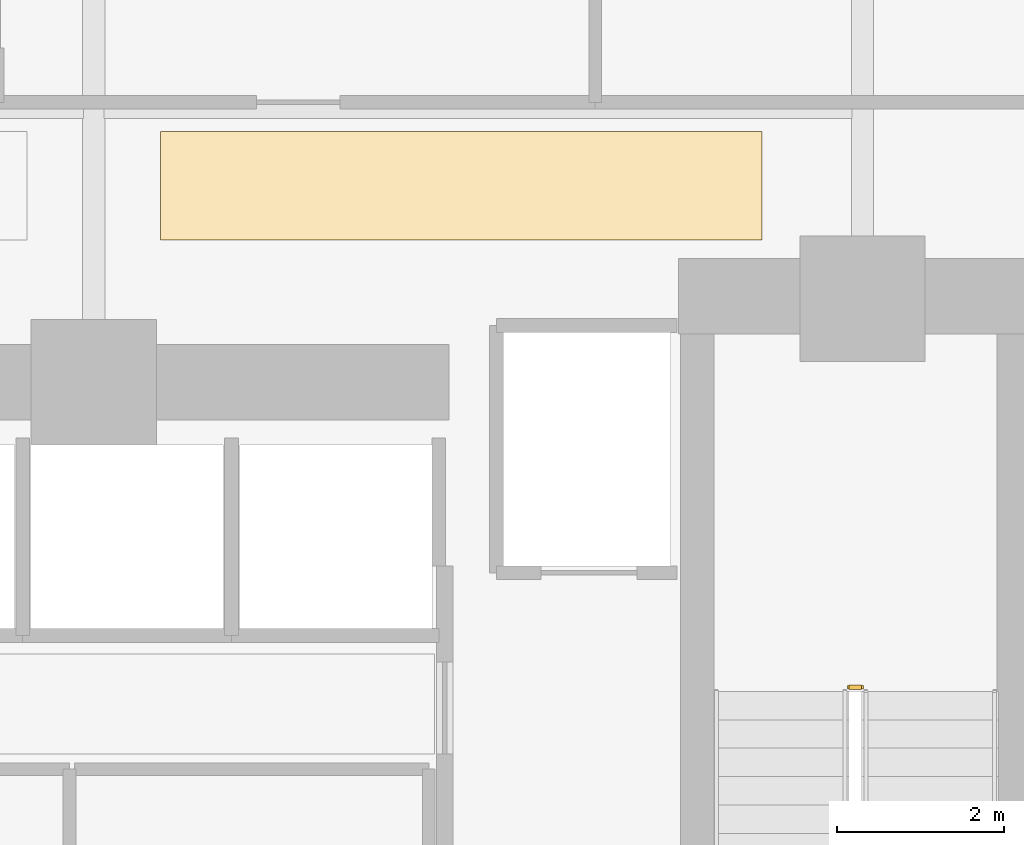
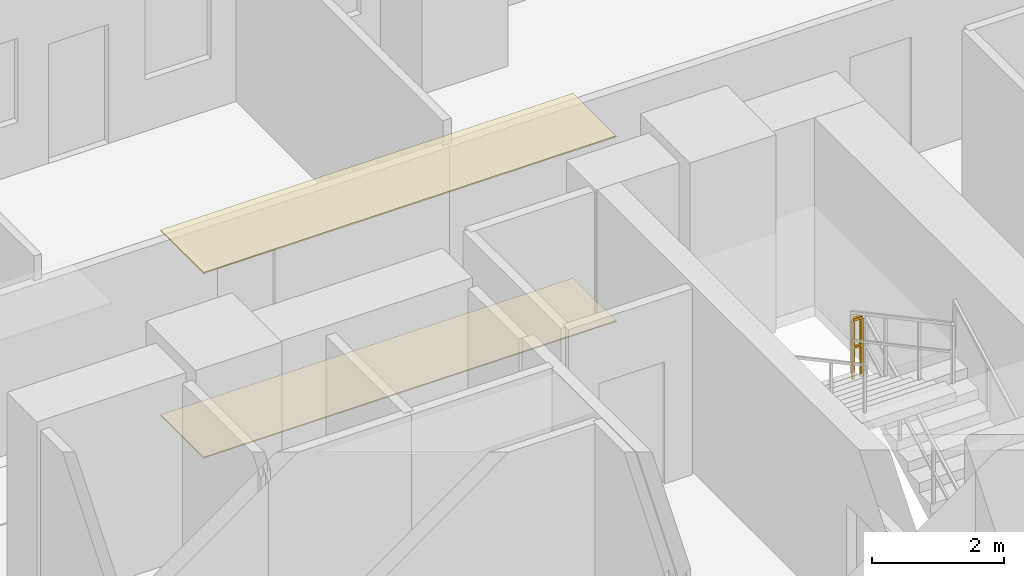
# One storey, part 28 of 29: 2 coverings, 1 railing.
"""IFC4 building model written with IfcOpenShell, lengths in metres."""

from ifc_helpers import new_model, si_unit, direction, frame, origin, origin_2d, place, context, subcontext, project, spatial, polyline, rectangle, outline, extrude, material, layer, layer_set, type_object, element, save


model = new_model("IFC4")

# Units and contexts
model_context = context("Model", 3, precision=1e-05, world=origin(), true_north=direction((0.0, 1.0)))
body_context = subcontext(model_context, "Body", "Model", "MODEL_VIEW")
ifc_project = project(units=[si_unit("LENGTHUNIT", "METRE"), si_unit("AREAUNIT", "SQUARE_METRE"), si_unit("VOLUMEUNIT", "CUBIC_METRE"), si_unit("PLANEANGLEUNIT", "RADIAN"), si_unit("MASSUNIT", "GRAM", prefix="KILO")], contexts=[model_context])

# Site, building, storey
site_placement = place(None, origin())
site = spatial("IfcSite", under=ifc_project, at=site_placement, CompositionType="ELEMENT")
building_placement = place(site_placement, origin())
building = spatial("IfcBuilding", under=site, at=building_placement, Name="Zuhayl Quay Hotel", CompositionType="ELEMENT")
storey_placement = place(building_placement, frame((0.0, 0.0, 45.85009765625)))
storey = spatial("IfcBuildingStorey", under=building, at=storey_placement, Name="L10", CompositionType="ELEMENT", Elevation=45.85009765625)

# Coverings
ifc_material_1 = material(Name="Acoustic Mineral-Fibre Gypsum Board")
ifc_layer_1 = layer(ifc_material_1, 0.02490234375, Name="Acoustic Mineral-Fibre Gypsum Board")
ifc_layer_set_1 = layer_set([ifc_layer_1], Name="Acoustic Mineral-Fibre Gypsum Board")
covering_type_1 = type_object("IfcCoveringType", Name="CV_CEIL_ACOUSTIC", PredefinedType="CEILING", material=ifc_layer_set_1)
covering_1_placement = place(storey_placement, frame((0.0, 0.0, 3.40478515625)))
element("IfcCovering", 1, at=covering_1_placement, inside=storey, type_object=covering_type_1, Name="L10 Guest Corridor Acoustic Ceiling CE", PredefinedType="CEILING", context=body_context, shape_type="SweptSolid", body=[
    extrude(outline(polyline([(5.39990234375, 15.050048828125), (12.60009765625, 15.050048828125), (12.60009765625, 16.35009765625), (5.39990234375, 16.35009765625), (5.39990234375, 15.050048828125)])), origin(), (0.0, 0.0, 1.0), 0.025146484375),
])
ifc_material_2 = material(Name="Polished Limestone Terrazzo", Category="masonry")
ifc_layer_2 = layer(ifc_material_2, 0.02001953125, Name="Polished Limestone Terrazzo", Category="masonry")
ifc_layer_set_2 = layer_set([ifc_layer_2], Name="Polished Limestone Terrazzo")
covering_type_2 = type_object("IfcCoveringType", Name="CV_FLOOR_TERRAZZO", PredefinedType="FLOORING", material=ifc_layer_set_2)
covering_2_placement = place(storey_placement, origin())
element("IfcCovering", 2, at=covering_2_placement, inside=storey, type_object=covering_type_2, Name="L10 Guest Corridor Terrazzo Runner CE", PredefinedType="FLOORING", context=body_context, shape_type="SweptSolid", body=[
    extrude(outline(polyline([(5.39990234375, 15.050048828125), (12.60009765625, 15.050048828125), (12.60009765625, 16.35009765625), (5.39990234375, 16.35009765625), (5.39990234375, 15.050048828125)])), origin(), (0.0, 0.0, 1.0), 0.02001953125),
])

# Railing
ifc_material_3 = material(Name="Steel ASTM A992 Grade 50", Category="steel")
railing_type = type_object("IfcRailingType", Name="RL_GUARD_1100", PredefinedType="GUARDRAIL", material=ifc_material_3)
railing_placement = place(storey_placement, frame((13.7900390625, 9.699951171875, 1.824951171875)))
element("IfcRailing", 3, at=railing_placement, inside=storey, type_object=railing_type, Name="L10 ST2 stair guard 2", PredefinedType="GUARDRAIL", context=body_context, shape_type="SweptSolid", body=[
    extrude(rectangle(XDim=0.048095703125, YDim=0.048095703125, at=origin_2d()), frame((0.0, 0.0, 1.09619140625), z_axis=(-1.0, 0.0, 0.0), x_axis=(0.0, -1.0, 0.0)), (0.0, 0.0, 1.0), 0.150146484375),
    extrude(rectangle(XDim=0.0361328125, YDim=0.0361328125, at=origin_2d()), frame((0.0, 0.0, 0.58251953125), z_axis=(-1.0, 0.0, 0.0), x_axis=(0.0, -1.0, 0.0)), (0.0, 0.0, 1.0), 0.150146484375),
    extrude(rectangle(XDim=0.0419921875, YDim=0.0419921875, at=origin_2d()), origin(), (0.0, 0.0, 1.0), 1.072021484375),
    extrude(rectangle(XDim=0.0419921875, YDim=0.0419921875, at=origin_2d()), frame((-0.150146484375, 0.0, 0.0)), (0.0, 0.0, 1.0), 1.072021484375),
])

save(model, "model.ifc")
